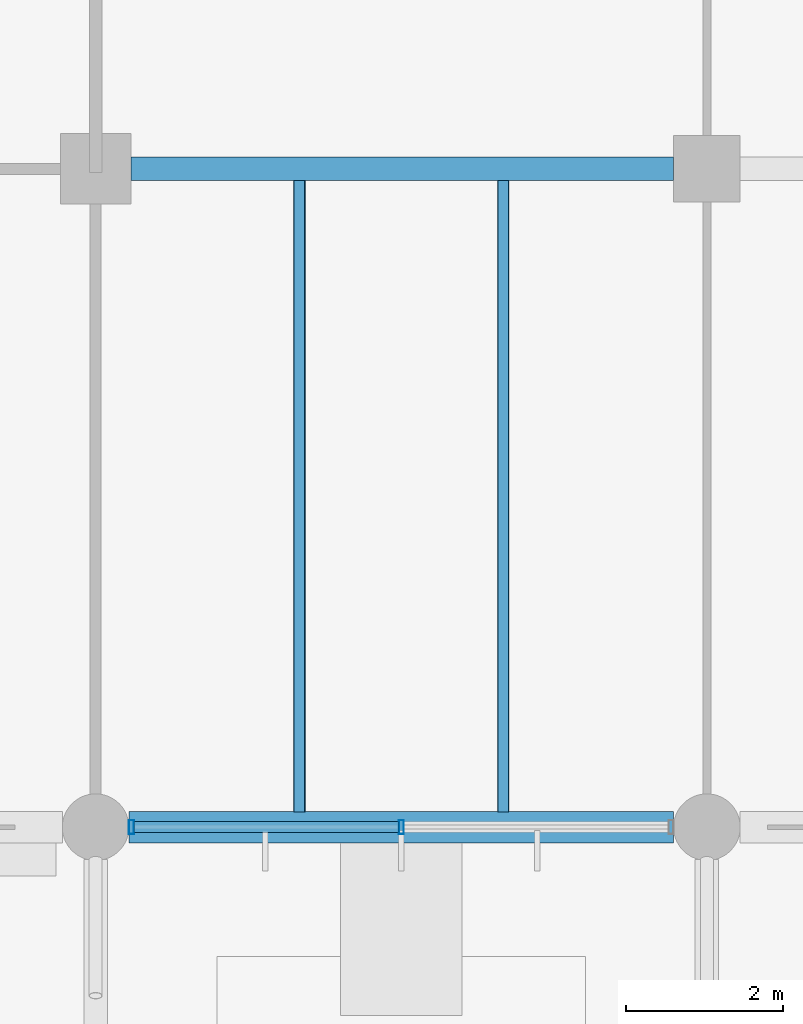
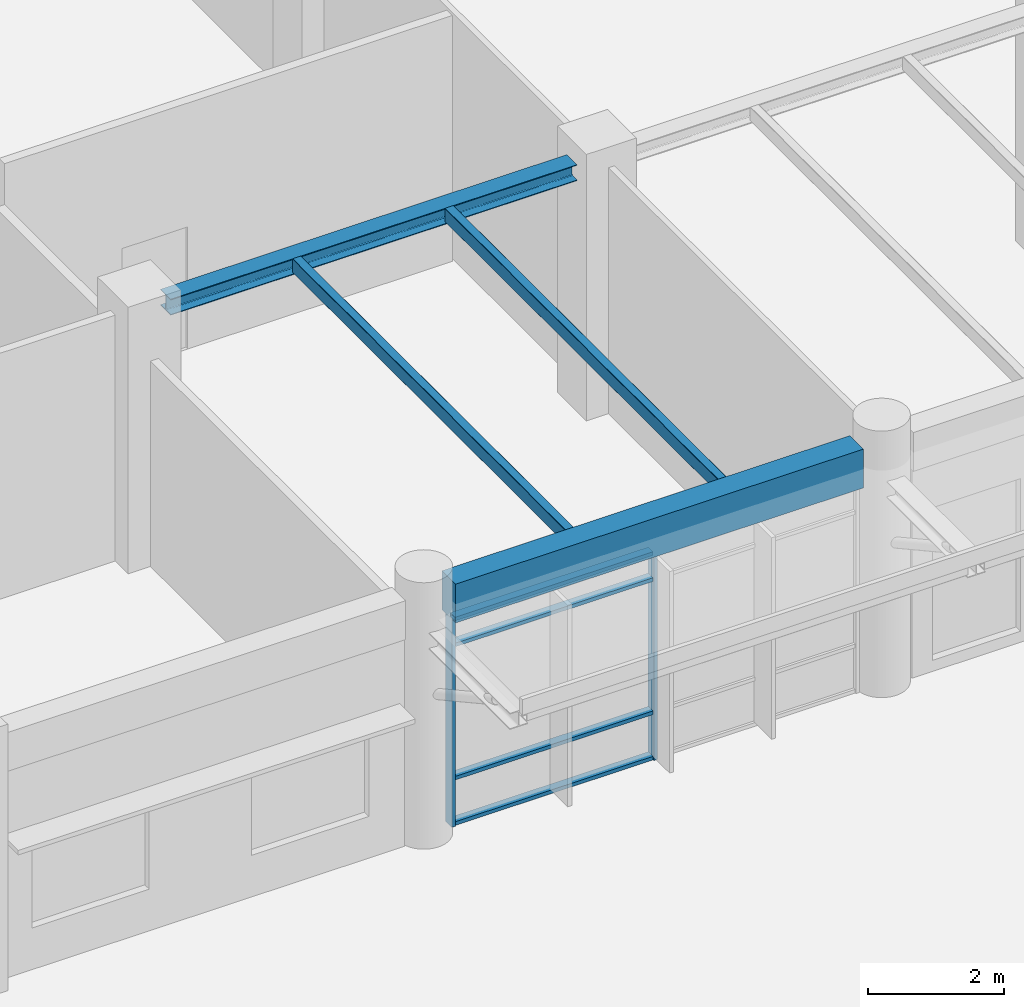
# One storey, part 3 of 74: 6 members, 4 beams, 1 element without a shape of its own.
"""IFC4 building model written with IfcOpenShell, lengths in metres."""

from ifc_helpers import new_model, si_unit, direction, frame, origin, origin_2d, place, context, subcontext, project, spatial, rectangle, hollow_rectangle, i_section, extrude, material, material_profile, profile_set, type_object, element, aggregate, save


model = new_model("IFC4")

# Units and contexts
model_context = context("Model", 3, precision=1e-05, world=origin(), true_north=direction((0.0, 1.0)))
body_context = subcontext(model_context, "Body", "Model", "MODEL_VIEW")
ifc_project = project(units=[si_unit("LENGTHUNIT", "METRE"), si_unit("AREAUNIT", "SQUARE_METRE"), si_unit("VOLUMEUNIT", "CUBIC_METRE"), si_unit("PLANEANGLEUNIT", "RADIAN"), si_unit("MASSUNIT", "GRAM", prefix="KILO"), si_unit("THERMODYNAMICTEMPERATUREUNIT", "KELVIN"), si_unit("POWERUNIT", "WATT")], contexts=[model_context])

# Site, building, storey
site_placement = place(None, origin())
site = spatial("IfcSite", under=ifc_project, at=site_placement, CompositionType="ELEMENT")
building_placement = place(site_placement, origin())
building = spatial("IfcBuilding", under=site, at=building_placement, Name="Srebrne Nadtorze General Hospital", CompositionType="ELEMENT")
storey_placement = place(building_placement, origin())
storey = spatial("IfcBuildingStorey", under=building, at=storey_placement, Name="L00", CompositionType="ELEMENT", Elevation=0.0)

# Curtain wall, members
ifc_material_1 = material(Name="Anodised Aluminium", Category="aluminium")
curtain_wall_type = type_object("IfcCurtainWallType", Name="Unitised curtain wall 6950x3750", PredefinedType="NOTDEFINED", material=ifc_material_1)
curtain_wall_placement = place(storey_placement, origin())
curtain_wall = element("IfcCurtainWall", 1, at=curtain_wall_placement, inside=storey, type_object=curtain_wall_type, Name="Curtain wall CW-001", PredefinedType="NOTDEFINED")
ifc_material_2 = material(Name="Anodised Aluminium", Category="aluminium")
ifc_material_profile_1 = material_profile(ifc_material_2, hollow_rectangle(XDim=0.06494140625, YDim=0.179931640625, WallThickness=0.00390625, at=origin_2d()), Name="AL-MUL-65x180")
ifc_profile_set_1 = profile_set([ifc_material_profile_1], Name="Anodised Aluminium")
member_type_1 = type_object("IfcMemberType", Name="Curtain mullion 65x180", PredefinedType="MULLION", material=ifc_profile_set_1)
member_1_placement = place(storey_placement, frame((55.0576171875, 0.0, 0.0), z_axis=(0.0, 0.0, 1.0), x_axis=(1.0, 0.0, 0.0)))
member_1 = element("IfcMember", 2, at=member_1_placement, type_object=member_type_1, Name="CW-001 mullion 1", PredefinedType="MULLION", context=body_context, shape_type="SweptSolid", body=[
    extrude(hollow_rectangle(XDim=0.06494140625, YDim=0.179931640625, WallThickness=0.00390625, at=origin_2d()), origin(), (0.0, 0.0, 1.0), 3.75),
])
member_2_placement = place(storey_placement, frame((58.5, 0.0, 0.0), z_axis=(0.0, 0.0, 1.0), x_axis=(1.0, 0.0, 0.0)))
member_2 = element("IfcMember", 3, at=member_2_placement, type_object=member_type_1, Name="CW-001 mullion 2", PredefinedType="MULLION", context=body_context, shape_type="SweptSolid", body=[
    extrude(hollow_rectangle(XDim=0.06494140625, YDim=0.179931640625, WallThickness=0.00390625, at=origin_2d()), origin(), (0.0, 0.0, 1.0), 3.75),
])
ifc_material_3 = material(Name="Anodised Aluminium", Category="aluminium")
ifc_material_profile_2 = material_profile(ifc_material_3, hollow_rectangle(XDim=0.06494140625, YDim=0.139892578125, WallThickness=0.00390625, at=origin_2d()), Name="AL-TRN-65x140")
ifc_profile_set_2 = profile_set([ifc_material_profile_2], Name="Anodised Aluminium")
member_type_2 = type_object("IfcMemberType", Name="Curtain transom 65x140", PredefinedType="USERDEFINED", material=ifc_profile_set_2)
member_3_placement = place(storey_placement, frame((55.090087890625, 0.0, 0.032470703125), z_axis=(1.0, 0.0, 0.0), x_axis=(0.0, 0.0, 1.0)))
member_3 = element("IfcMember", 4, at=member_3_placement, type_object=member_type_2, Name="CW-001 transom 1.1", ObjectType="TRANSOM", PredefinedType="USERDEFINED", context=body_context, shape_type="SweptSolid", body=[
    extrude(hollow_rectangle(XDim=0.06494140625, YDim=0.139892578125, WallThickness=0.00390625, at=origin_2d()), origin(), (0.0, 0.0, 1.0), 3.37744140625),
])
member_4_placement = place(storey_placement, frame((55.090087890625, 0.0, 0.85009765625), z_axis=(1.0, 0.0, 0.0), x_axis=(0.0, 0.0, 1.0)))
member_4 = element("IfcMember", 5, at=member_4_placement, type_object=member_type_2, Name="CW-001 transom 1.2", ObjectType="TRANSOM", PredefinedType="USERDEFINED", context=body_context, shape_type="SweptSolid", body=[
    extrude(hollow_rectangle(XDim=0.06494140625, YDim=0.139892578125, WallThickness=0.00390625, at=origin_2d()), origin(), (0.0, 0.0, 1.0), 3.37744140625),
])
member_5_placement = place(storey_placement, frame((55.090087890625, 0.0, 3.25), z_axis=(1.0, 0.0, 0.0), x_axis=(0.0, 0.0, 1.0)))
member_5 = element("IfcMember", 6, at=member_5_placement, type_object=member_type_2, Name="CW-001 transom 1.3", ObjectType="TRANSOM", PredefinedType="USERDEFINED", context=body_context, shape_type="SweptSolid", body=[
    extrude(hollow_rectangle(XDim=0.06494140625, YDim=0.139892578125, WallThickness=0.00390625, at=origin_2d()), origin(), (0.0, 0.0, 1.0), 3.37744140625),
])
member_6_placement = place(storey_placement, frame((55.090087890625, 0.0, 3.717529296875), z_axis=(1.0, 0.0, 0.0), x_axis=(0.0, 0.0, 1.0)))
member_6 = element("IfcMember", 7, at=member_6_placement, type_object=member_type_2, Name="CW-001 transom 1.4", ObjectType="TRANSOM", PredefinedType="USERDEFINED", context=body_context, shape_type="SweptSolid", body=[
    extrude(hollow_rectangle(XDim=0.06494140625, YDim=0.139892578125, WallThickness=0.00390625, at=origin_2d()), origin(), (0.0, 0.0, 1.0), 3.37744140625),
])
aggregate(curtain_wall, [member_1, member_2, member_3, member_4, member_5, member_6])

# Beams
ifc_material_4 = material(Name="Concrete C40/50", Category="concrete")
ifc_material_profile_3 = material_profile(ifc_material_4, rectangle(XDim=0.39990234375, YDim=0.699951171875, at=origin_2d()), Name="RC-BM-400x700")
ifc_profile_set_3 = profile_set([ifc_material_profile_3], Name="Concrete C40/50")
beam_type_1 = type_object("IfcBeamType", Name="Edge beam RC 400x700", PredefinedType="BEAM", material=ifc_profile_set_3)
beam_1_placement = place(storey_placement, frame((55.02490234375, 0.0, 4.10009765625), z_axis=(1.0, 0.0, 0.0), x_axis=(0.0, 1.0, 0.0)))
element("IfcBeam", 8, at=beam_1_placement, inside=storey, type_object=beam_type_1, Name="Beam BM-L00-X-0185", PredefinedType="BEAM", context=body_context, shape_type="SweptSolid", body=[
    extrude(rectangle(XDim=0.39990234375, YDim=0.699951171875, at=origin_2d()), origin(), (0.0, 0.0, 1.0), 6.9501953125),
])
ifc_material_5 = material(Name="Steel S355J2", Category="steel")
ifc_material_profile_4 = material_profile(ifc_material_5, hollow_rectangle(XDim=0.14990234375, YDim=0.25, WallThickness=0.010009765625, InnerFilletRadius=0.010009765625, OuterFilletRadius=0.014892578125, at=origin_2d()), Name="RHS-250x150x10")
ifc_profile_set_4 = profile_set([ifc_material_profile_4], Name="Steel S355J2")
beam_type_2 = type_object("IfcBeamType", Name="Hollow canopy beam RHS 250x150x10", PredefinedType="HOLLOWCORE", material=ifc_profile_set_4)
for number, where, z_axis, x_axis, name in (
    (9, (57.199951171875, 0.195068359375, 4.324951171875), (0.0, 1.0, 0.0), (-1.0, 0.0, 0.0), "Hollow canopy beam SH-L00-01-1"),
    (10, (59.800048828125, 0.195068359375, 4.324951171875), (0.0, 1.0, 0.0), (-1.0, 0.0, 0.0), "Hollow canopy beam SH-L00-01-2"),
):
    element("IfcBeam", number, at=place(storey_placement, frame(where, z_axis=z_axis, x_axis=x_axis)), inside=storey, type_object=beam_type_2, Name=name, PredefinedType="HOLLOWCORE", context=body_context, shape_type="SweptSolid", body=[
        extrude(hollow_rectangle(XDim=0.14990234375, YDim=0.25, WallThickness=0.010009765625, InnerFilletRadius=0.010009765625, OuterFilletRadius=0.014892578125, at=origin_2d()), origin(), (0.0, 0.0, 1.0), 8.059814453125),
    ])
ifc_material_6 = material(Name="Steel S355J2", Category="steel")
ifc_material_profile_5 = material_profile(ifc_material_6, i_section(OverallWidth=0.300048828125, OverallDepth=0.2900390625, WebThickness=0.008544921875, FlangeThickness=0.013916015625, FilletRadius=0.027099609375, at=origin_2d()), Name="HEA-300")
ifc_profile_set_5 = profile_set([ifc_material_profile_5], Name="Steel S355J2")
beam_type_3 = type_object("IfcBeamType", Name="Primary beam HEA 300", PredefinedType="BEAM", material=ifc_profile_set_5)
beam_2_placement = place(storey_placement, frame((55.050048828125, 8.39990234375, 4.304931640625), z_axis=(1.0, 0.0, 0.0), x_axis=(0.0, 1.0, 0.0)))
element("IfcBeam", 11, at=beam_2_placement, inside=storey, type_object=beam_type_3, Name="Main hall gallery collector beam 1", PredefinedType="BEAM", context=body_context, shape_type="SweptSolid", body=[
    extrude(i_section(OverallWidth=0.300048828125, OverallDepth=0.2900390625, WebThickness=0.008544921875, FlangeThickness=0.013916015625, FilletRadius=0.027099609375, at=origin_2d()), origin(), (0.0, 0.0, 1.0), 6.925048828125),
])

save(model, "model.ifc")
